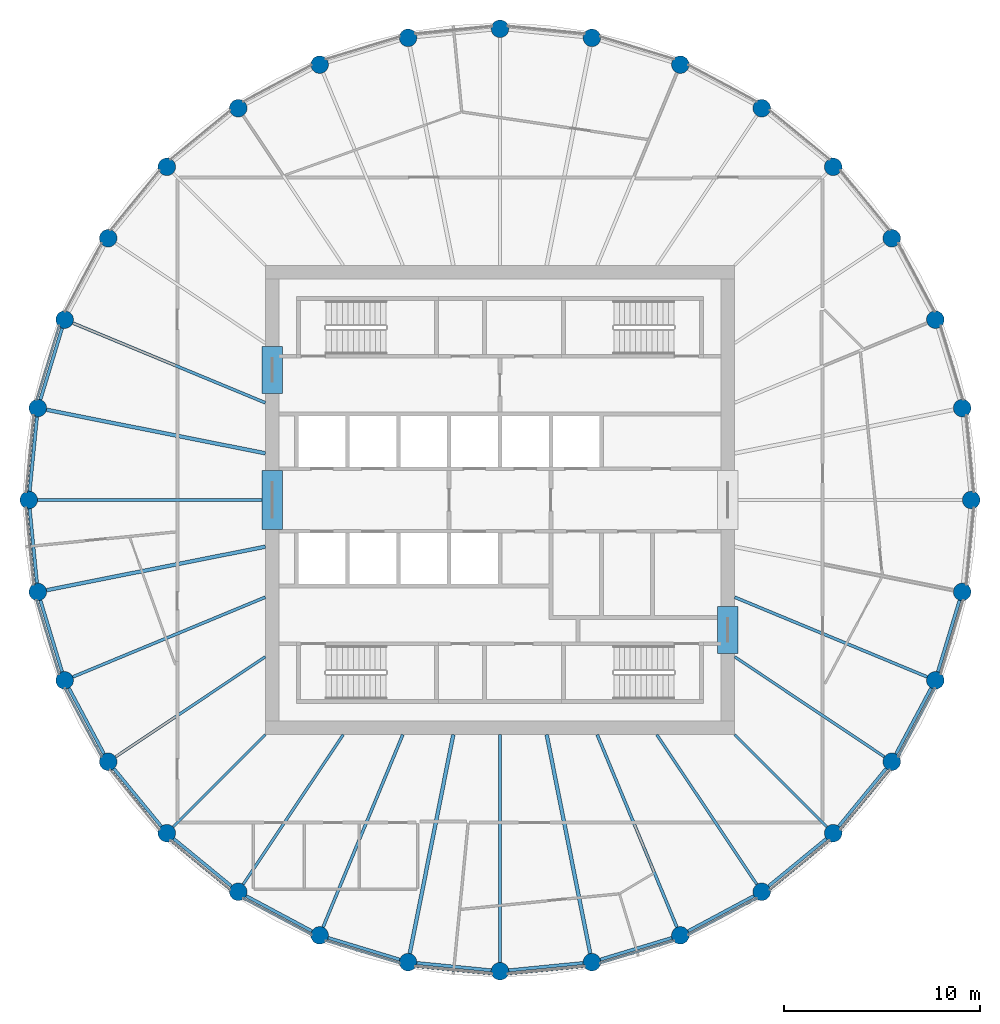
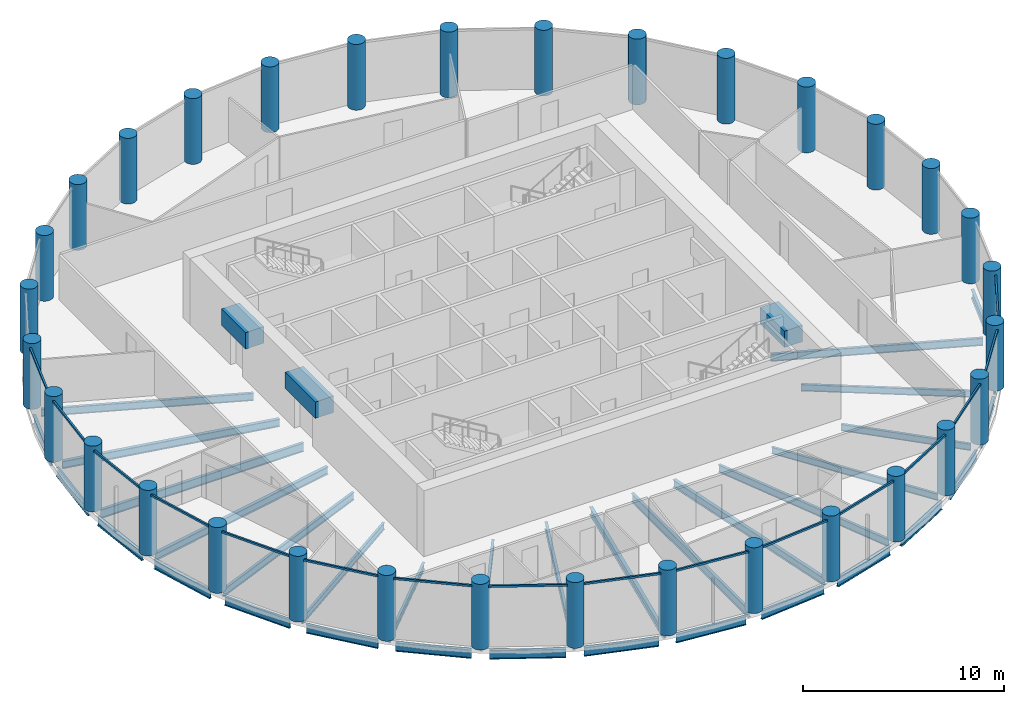
# One storey, part 1 of 8: 37 beams, 32 columns, 16 members, 16 elements without a shape of their own.
"""IFC4 building model written with IfcOpenShell, lengths in metres."""

from ifc_helpers import new_model, si_unit, direction, frame, origin, origin_2d, place, context, subcontext, project, spatial, rectangle, circle, i_section, extrude, material, material_profile, profile_set, type_object, element, aggregate, save


model = new_model("IFC4")

# Units and contexts
model_context = context("Model", 3, precision=1e-05, world=origin(), true_north=direction((0.0, 1.0)))
body_context = subcontext(model_context, "Body", "Model", "MODEL_VIEW")
ifc_project = project(units=[si_unit("LENGTHUNIT", "METRE"), si_unit("AREAUNIT", "SQUARE_METRE"), si_unit("VOLUMEUNIT", "CUBIC_METRE"), si_unit("PLANEANGLEUNIT", "RADIAN"), si_unit("MASSUNIT", "GRAM", prefix="KILO")], contexts=[model_context])

# Site, building, storey
site_placement = place(None, origin())
site = spatial("IfcSite", under=ifc_project, at=site_placement, CompositionType="ELEMENT")
building_placement = place(site_placement, origin())
building = spatial("IfcBuilding", under=site, at=building_placement, Name="Corvane Civic Tower", CompositionType="ELEMENT")
storey_placement = place(building_placement, frame((0.0, 0.0, 303.0)))
storey = spatial("IfcBuildingStorey", under=building, at=storey_placement, Name="L72", CompositionType="ELEMENT", Elevation=303.0)

# Columns
ifc_material_1 = material(Name="Concrete C60/75", Category="concrete")
ifc_material_profile_1 = material_profile(ifc_material_1, circle(Radius=0.449951171875, at=origin_2d()), Name="COLUMN 900")
ifc_profile_set_1 = profile_set([ifc_material_profile_1], Name="Concrete C60/75")
column_type = type_object("IfcColumnType", Name="RC COLUMN COLUMN 900", PredefinedType="COLUMN", material=ifc_profile_set_1)
for number, where, z_axis, x_axis, name in (
    (1, (0.0, 24.10009765625, 0.0), (0.0, 0.0, 1.0), (1.0, 0.0, 0.0), "COL-L72-E01"),
    (2, (4.70166015625, 23.636962890625, 0.0), (0.0, 0.0, 1.0), (1.0, 0.0, 0.0), "COL-L72-E02"),
    (3, (9.22265625, 22.265380859375, 0.0), (0.0, 0.0, 1.0), (1.0, 0.0, 0.0), "COL-L72-E03"),
    (4, (13.38916015625, 20.038330078125, 0.0), (0.0, 0.0, 1.0), (1.0, 0.0, 0.0), "COL-L72-E04"),
    (5, (17.041259765625, 17.041259765625, 0.0), (0.0, 0.0, 1.0), (1.0, 0.0, 0.0), "COL-L72-E05"),
    (6, (20.038330078125, 13.38916015625, 0.0), (0.0, 0.0, 1.0), (1.0, 0.0, 0.0), "COL-L72-E06"),
    (7, (22.265380859375, 9.22265625, 0.0), (0.0, 0.0, 1.0), (1.0, 0.0, 0.0), "COL-L72-E07"),
    (8, (23.636962890625, 4.70166015625, 0.0), (0.0, 0.0, 1.0), (1.0, 0.0, 0.0), "COL-L72-E08"),
    (9, (24.10009765625, 0.0, 0.0), (0.0, 0.0, 1.0), (1.0, 0.0, 0.0), "COL-L72-E09"),
    (10, (23.636962890625, -4.70166015625, 0.0), (0.0, 0.0, 1.0), (1.0, 0.0, 0.0), "COL-L72-E10"),
    (11, (22.265380859375, -9.22265625, 0.0), (0.0, 0.0, 1.0), (1.0, 0.0, 0.0), "COL-L72-E11"),
    (12, (20.038330078125, -13.38916015625, 0.0), (0.0, 0.0, 1.0), (1.0, 0.0, 0.0), "COL-L72-E12"),
    (13, (17.041259765625, -17.041259765625, 0.0), (0.0, 0.0, 1.0), (1.0, 0.0, 0.0), "COL-L72-E13"),
    (14, (13.38916015625, -20.038330078125, 0.0), (0.0, 0.0, 1.0), (1.0, 0.0, 0.0), "COL-L72-E14"),
    (15, (9.22265625, -22.265380859375, 0.0), (0.0, 0.0, 1.0), (1.0, 0.0, 0.0), "COL-L72-E15"),
    (16, (4.70166015625, -23.636962890625, 0.0), (0.0, 0.0, 1.0), (1.0, 0.0, 0.0), "COL-L72-E16"),
    (17, (0.0, -24.10009765625, 0.0), (0.0, 0.0, 1.0), (1.0, 0.0, 0.0), "COL-L72-E17"),
    (18, (-4.70166015625, -23.636962890625, 0.0), (0.0, 0.0, 1.0), (1.0, 0.0, 0.0), "COL-L72-E18"),
    (19, (-9.22265625, -22.265380859375, 0.0), (0.0, 0.0, 1.0), (1.0, 0.0, 0.0), "COL-L72-E19"),
    (20, (-13.38916015625, -20.038330078125, 0.0), (0.0, 0.0, 1.0), (1.0, 0.0, 0.0), "COL-L72-E20"),
    (21, (-17.041259765625, -17.041259765625, 0.0), (0.0, 0.0, 1.0), (1.0, 0.0, 0.0), "COL-L72-E21"),
    (22, (-20.038330078125, -13.38916015625, 0.0), (0.0, 0.0, 1.0), (1.0, 0.0, 0.0), "COL-L72-E22"),
    (23, (-22.265380859375, -9.22265625, 0.0), (0.0, 0.0, 1.0), (1.0, 0.0, 0.0), "COL-L72-E23"),
    (24, (-23.636962890625, -4.70166015625, 0.0), (0.0, 0.0, 1.0), (1.0, 0.0, 0.0), "COL-L72-E24"),
    (25, (-24.10009765625, 0.0, 0.0), (0.0, 0.0, 1.0), (1.0, 0.0, 0.0), "COL-L72-E25"),
    (26, (-23.636962890625, 4.70166015625, 0.0), (0.0, 0.0, 1.0), (1.0, 0.0, 0.0), "COL-L72-E26"),
    (27, (-22.265380859375, 9.22265625, 0.0), (0.0, 0.0, 1.0), (1.0, 0.0, 0.0), "COL-L72-E27"),
    (28, (-20.038330078125, 13.38916015625, 0.0), (0.0, 0.0, 1.0), (1.0, 0.0, 0.0), "COL-L72-E28"),
    (29, (-17.041259765625, 17.041259765625, 0.0), (0.0, 0.0, 1.0), (1.0, 0.0, 0.0), "COL-L72-E29"),
    (30, (-13.38916015625, 20.038330078125, 0.0), (0.0, 0.0, 1.0), (1.0, 0.0, 0.0), "COL-L72-E30"),
    (31, (-9.22265625, 22.265380859375, 0.0), (0.0, 0.0, 1.0), (1.0, 0.0, 0.0), "COL-L72-E31"),
    (32, (-4.70166015625, 23.636962890625, 0.0), (0.0, 0.0, 1.0), (1.0, 0.0, 0.0), "COL-L72-E32"),
):
    element("IfcColumn", number, at=place(storey_placement, frame(where, z_axis=z_axis, x_axis=x_axis)), inside=storey, type_object=column_type, Name=name, PredefinedType="COLUMN", context=body_context, shape_type="SweptSolid", body=[
        extrude(circle(Radius=0.449951171875, at=origin_2d()), origin(), (0.0, 0.0, 1.0), 4.0),
    ])

# Beams
ifc_material_2 = material(Name="Concrete C40/50", Category="concrete")
ifc_material_profile_2 = material_profile(ifc_material_2, rectangle(XDim=1.050048828125, YDim=1.0, at=origin_2d()), Name="COUPLING BEAM 1050X1000")
ifc_profile_set_2 = profile_set([ifc_material_profile_2], Name="Concrete C40/50")
beam_type_1 = type_object("IfcBeamType", Name="COUPLING BEAM COUPLING BEAM 1050X1000", PredefinedType="BEAM", material=ifc_profile_set_2)
beam_1_placement = place(storey_placement, frame((-11.64990234375, -1.5, 2.60009765625), z_axis=(0.0, 1.0, 0.0), x_axis=(-1.0, 0.0, 0.0)))
element("IfcBeam", 33, at=beam_1_placement, inside=storey, type_object=beam_type_1, Name="BM-L72-cpl-CW-LW", PredefinedType="BEAM", context=body_context, shape_type="SweptSolid", body=[
    extrude(rectangle(XDim=1.050048828125, YDim=1.0, at=origin_2d()), origin(), (0.0, 0.0, 1.0), 3.0),
])
for number, where, z_axis, x_axis, name in (
    (34, (-11.64990234375, 5.449951171875, 2.60009765625), (0.0, 1.0, 0.0), (-1.0, 0.0, 0.0), "BM-L72-cpl-CW-WN"),
    (35, (11.64990234375, -7.85009765625, 2.60009765625), (0.0, 1.0, 0.0), (-1.0, 0.0, 0.0), "BM-L72-cpl-CW-ES"),
):
    element("IfcBeam", number, at=place(storey_placement, frame(where, z_axis=z_axis, x_axis=x_axis)), inside=storey, type_object=beam_type_1, Name=name, PredefinedType="BEAM", context=body_context, shape_type="SweptSolid", body=[
        extrude(rectangle(XDim=1.050048828125, YDim=1.0, at=origin_2d()), origin(), (0.0, 0.0, 1.0), 2.400146484375),
    ])
ifc_material_3 = material(Name="Steel ASTM A992 Gr 50", Category="steel")
ifc_material_profile_3 = material_profile(ifc_material_3, i_section(OverallWidth=0.165771484375, OverallDepth=0.5283203125, WebThickness=0.009765625, FlangeThickness=0.013671875, at=origin_2d()), Name="W21X50")
ifc_profile_set_3 = profile_set([ifc_material_profile_3], Name="Steel ASTM A992 Gr 50")
beam_type_2 = type_object("IfcBeamType", Name="EDGE BEAM W21X50", PredefinedType="BEAM", material=ifc_profile_set_3)
beam_2_placement = place(storey_placement, frame((23.50634765625, -5.13232421875, -0.564208984375), z_axis=(-0.290333385085, -0.95692555902, 0.0), x_axis=(0.95692555902, -0.290333385085, 0.0)))
element("IfcBeam", 36, at=beam_2_placement, inside=storey, type_object=beam_type_2, Name="BM-L72-E10", PredefinedType="BEAM", context=body_context, shape_type="SweptSolid", body=[
    extrude(i_section(OverallWidth=0.165771484375, OverallDepth=0.5283203125, WebThickness=0.009765625, FlangeThickness=0.013671875, at=origin_2d()), origin(), (0.0, 0.0, 1.0), 3.824462890625),
])
beam_3_placement = place(storey_placement, frame((22.05322265625, -9.61962890625, -0.564208984375), z_axis=(-0.471409804487, -0.881914279413, 0.0), x_axis=(0.881914279413, -0.471409804487, 0.0)))
element("IfcBeam", 37, at=beam_3_placement, inside=storey, type_object=beam_type_2, Name="BM-L72-E11", PredefinedType="BEAM", context=body_context, shape_type="SweptSolid", body=[
    extrude(i_section(OverallWidth=0.165771484375, OverallDepth=0.5283203125, WebThickness=0.009765625, FlangeThickness=0.013671875, at=origin_2d()), origin(), (0.0, 0.0, 1.0), 3.82421875),
])
for number, where, z_axis, x_axis, name in (
    (38, (19.7529296875, -13.737060546875, -0.564208984375), (-0.634408562057, -0.772997914867, 0.0), (0.772997914867, -0.634408562057, 0.0), "BM-L72-E12"),
    (39, (16.693359375, -17.32666015625, -0.564208984375), (-0.772997914867, -0.634408562057, 0.0), (0.634408562057, -0.772997914867, 0.0), "BM-L72-E13"),
):
    element("IfcBeam", number, at=place(storey_placement, frame(where, z_axis=z_axis, x_axis=x_axis)), inside=storey, type_object=beam_type_2, Name=name, PredefinedType="BEAM", context=body_context, shape_type="SweptSolid", body=[
        extrude(i_section(OverallWidth=0.165771484375, OverallDepth=0.5283203125, WebThickness=0.009765625, FlangeThickness=0.013671875, at=origin_2d()), origin(), (0.0, 0.0, 1.0), 3.824462890625),
    ])
beam_4_placement = place(storey_placement, frame((12.9921875, -20.25048828125, -0.564208984375), z_axis=(-0.881914279413, -0.471409804487, 0.0), x_axis=(0.471409804487, -0.881914279413, 0.0)))
element("IfcBeam", 40, at=beam_4_placement, inside=storey, type_object=beam_type_2, Name="BM-L72-E14", PredefinedType="BEAM", context=body_context, shape_type="SweptSolid", body=[
    extrude(i_section(OverallWidth=0.165771484375, OverallDepth=0.5283203125, WebThickness=0.009765625, FlangeThickness=0.013671875, at=origin_2d()), origin(), (0.0, 0.0, 1.0), 3.82421875),
])
for number, where, z_axis, x_axis, name in (
    (41, (8.7919921875, -22.39599609375, -0.564208984375), (-0.95692555902, -0.290333385085, 0.0), (0.290333385085, -0.95692555902, 0.0), "BM-L72-E15"),
    (42, (4.25390625, -23.68115234375, -0.564208984375), (-0.995187721162, -0.097986732007, 0.0), (0.097986732007, -0.995187721162, 0.0), "BM-L72-E16"),
    (43, (-0.44775390625, -24.055908203125, -0.564208984375), (-0.995187721162, 0.097986732007, 0.0), (-0.097986732007, -0.995187721162, 0.0), "BM-L72-E17"),
    (44, (-5.13232421875, -23.50634765625, -0.564208984375), (-0.95692555902, 0.290333385085, 0.0), (-0.290333385085, -0.95692555902, 0.0), "BM-L72-E18"),
):
    element("IfcBeam", number, at=place(storey_placement, frame(where, z_axis=z_axis, x_axis=x_axis)), inside=storey, type_object=beam_type_2, Name=name, PredefinedType="BEAM", context=body_context, shape_type="SweptSolid", body=[
        extrude(i_section(OverallWidth=0.165771484375, OverallDepth=0.5283203125, WebThickness=0.009765625, FlangeThickness=0.013671875, at=origin_2d()), origin(), (0.0, 0.0, 1.0), 3.824462890625),
    ])
beam_5_placement = place(storey_placement, frame((-9.61962890625, -22.05322265625, -0.564208984375), z_axis=(-0.881914279413, 0.471409804487, 0.0), x_axis=(-0.471409804487, -0.881914279413, 0.0)))
element("IfcBeam", 45, at=beam_5_placement, inside=storey, type_object=beam_type_2, Name="BM-L72-E19", PredefinedType="BEAM", context=body_context, shape_type="SweptSolid", body=[
    extrude(i_section(OverallWidth=0.165771484375, OverallDepth=0.5283203125, WebThickness=0.009765625, FlangeThickness=0.013671875, at=origin_2d()), origin(), (0.0, 0.0, 1.0), 3.82421875),
])
for number, where, z_axis, x_axis, name in (
    (46, (-13.737060546875, -19.7529296875, -0.564208984375), (-0.772997914867, 0.634408562057, 0.0), (-0.634408562057, -0.772997914867, 0.0), "BM-L72-E20"),
    (47, (-17.32666015625, -16.693359375, -0.564208984375), (-0.634408562057, 0.772997914867, 0.0), (-0.772997914867, -0.634408562057, 0.0), "BM-L72-E21"),
):
    element("IfcBeam", number, at=place(storey_placement, frame(where, z_axis=z_axis, x_axis=x_axis)), inside=storey, type_object=beam_type_2, Name=name, PredefinedType="BEAM", context=body_context, shape_type="SweptSolid", body=[
        extrude(i_section(OverallWidth=0.165771484375, OverallDepth=0.5283203125, WebThickness=0.009765625, FlangeThickness=0.013671875, at=origin_2d()), origin(), (0.0, 0.0, 1.0), 3.824462890625),
    ])
beam_6_placement = place(storey_placement, frame((-20.25048828125, -12.9921875, -0.564208984375), z_axis=(-0.471409804487, 0.881914279413, 0.0), x_axis=(-0.881914279413, -0.471409804487, 0.0)))
element("IfcBeam", 48, at=beam_6_placement, inside=storey, type_object=beam_type_2, Name="BM-L72-E22", PredefinedType="BEAM", context=body_context, shape_type="SweptSolid", body=[
    extrude(i_section(OverallWidth=0.165771484375, OverallDepth=0.5283203125, WebThickness=0.009765625, FlangeThickness=0.013671875, at=origin_2d()), origin(), (0.0, 0.0, 1.0), 3.82421875),
])
for number, where, z_axis, x_axis, name in (
    (49, (-22.39599609375, -8.7919921875, -0.564208984375), (-0.290333385085, 0.95692555902, 0.0), (-0.95692555902, -0.290333385085, 0.0), "BM-L72-E23"),
    (50, (-23.68115234375, -4.25390625, -0.564208984375), (-0.097986732007, 0.995187721162, 0.0), (-0.995187721162, -0.097986732007, 0.0), "BM-L72-E24"),
    (51, (-24.055908203125, 0.44775390625, -0.564208984375), (0.097986732007, 0.995187721162, 0.0), (-0.995187721162, 0.097986732007, 0.0), "BM-L72-E25"),
    (52, (-23.50634765625, 5.13232421875, -0.564208984375), (0.290333385085, 0.95692555902, 0.0), (-0.95692555902, 0.290333385085, 0.0), "BM-L72-E26"),
):
    element("IfcBeam", number, at=place(storey_placement, frame(where, z_axis=z_axis, x_axis=x_axis)), inside=storey, type_object=beam_type_2, Name=name, PredefinedType="BEAM", context=body_context, shape_type="SweptSolid", body=[
        extrude(i_section(OverallWidth=0.165771484375, OverallDepth=0.5283203125, WebThickness=0.009765625, FlangeThickness=0.013671875, at=origin_2d()), origin(), (0.0, 0.0, 1.0), 3.824462890625),
    ])
ifc_material_4 = material(Name="Steel ASTM A992 Gr 50", Category="steel")
ifc_material_profile_4 = material_profile(ifc_material_4, i_section(OverallWidth=0.140380859375, OverallDepth=0.40380859375, WebThickness=0.007080078125, FlangeThickness=0.01123046875, at=origin_2d()), Name="W16X31")
ifc_profile_set_4 = profile_set([ifc_material_profile_4], Name="Steel ASTM A992 Gr 50")
beam_type_3 = type_object("IfcBeamType", Name="FLOOR GIRDER W16X31", PredefinedType="BEAM", material=ifc_profile_set_4)
beam_7_placement = place(storey_placement, frame((12.0, -8.01806640625, -0.501953125), z_axis=(0.831471227061, -0.555567816355, 0.0), x_axis=(0.555567816355, 0.831471227061, 0.0)))
element("IfcBeam", 53, at=beam_7_placement, inside=storey, type_object=beam_type_3, Name="BM-L72-G12", PredefinedType="BEAM", context=body_context, shape_type="SweptSolid", body=[
    extrude(i_section(OverallWidth=0.140380859375, OverallDepth=0.40380859375, WebThickness=0.007080078125, FlangeThickness=0.01123046875, at=origin_2d()), origin(), (0.0, 0.0, 1.0), 9.2177734375),
])
beam_8_placement = place(storey_placement, frame((12.0, -12.0, -0.501953125), z_axis=(0.707106781187, -0.707106781187, 0.0), x_axis=(0.707106781187, 0.707106781187, 0.0)))
element("IfcBeam", 54, at=beam_8_placement, inside=storey, type_object=beam_type_3, Name="BM-L72-G13", PredefinedType="BEAM", context=body_context, shape_type="SweptSolid", body=[
    extrude(i_section(OverallWidth=0.140380859375, OverallDepth=0.40380859375, WebThickness=0.007080078125, FlangeThickness=0.01123046875, at=origin_2d()), origin(), (0.0, 0.0, 1.0), 6.679443359375),
])
for number, where, z_axis, x_axis, name in (
    (55, (8.01806640625, -12.0, -0.501953125), (0.555567816355, -0.831471227061, 0.0), (0.831471227061, 0.555567816355, 0.0), "BM-L72-G14"),
    (56, (-8.01806640625, -12.0, -0.501953125), (-0.555567816355, -0.831471227061, 0.0), (0.831471227061, -0.555567816355, 0.0), "BM-L72-G20"),
):
    element("IfcBeam", number, at=place(storey_placement, frame(where, z_axis=z_axis, x_axis=x_axis)), inside=storey, type_object=beam_type_3, Name=name, PredefinedType="BEAM", context=body_context, shape_type="SweptSolid", body=[
        extrude(i_section(OverallWidth=0.140380859375, OverallDepth=0.40380859375, WebThickness=0.007080078125, FlangeThickness=0.01123046875, at=origin_2d()), origin(), (0.0, 0.0, 1.0), 9.2177734375),
    ])
beam_9_placement = place(storey_placement, frame((-12.0, -12.0, -0.501953125), z_axis=(-0.707106781187, -0.707106781187, 0.0), x_axis=(0.707106781187, -0.707106781187, 0.0)))
element("IfcBeam", 57, at=beam_9_placement, inside=storey, type_object=beam_type_3, Name="BM-L72-G21", PredefinedType="BEAM", context=body_context, shape_type="SweptSolid", body=[
    extrude(i_section(OverallWidth=0.140380859375, OverallDepth=0.40380859375, WebThickness=0.007080078125, FlangeThickness=0.01123046875, at=origin_2d()), origin(), (0.0, 0.0, 1.0), 6.679443359375),
])
beam_10_placement = place(storey_placement, frame((-12.0, -8.01806640625, -0.501953125), z_axis=(-0.831471227061, -0.555567816355, 0.0), x_axis=(0.555567816355, -0.831471227061, 0.0)))
element("IfcBeam", 58, at=beam_10_placement, inside=storey, type_object=beam_type_3, Name="BM-L72-G22", PredefinedType="BEAM", context=body_context, shape_type="SweptSolid", body=[
    extrude(i_section(OverallWidth=0.140380859375, OverallDepth=0.40380859375, WebThickness=0.007080078125, FlangeThickness=0.01123046875, at=origin_2d()), origin(), (0.0, 0.0, 1.0), 9.2177734375),
])
ifc_material_5 = material(Name="Steel ASTM A992 Gr 50", Category="steel")
ifc_material_profile_5 = material_profile(ifc_material_5, i_section(OverallWidth=0.15283203125, OverallDepth=0.45458984375, WebThickness=0.008056640625, FlangeThickness=0.013427734375, at=origin_2d()), Name="W18X40")
ifc_profile_set_5 = profile_set([ifc_material_profile_5], Name="Steel ASTM A992 Gr 50")
beam_type_4 = type_object("IfcBeamType", Name="FLOOR GIRDER W18X40", PredefinedType="BEAM", material=ifc_profile_set_5)
for number, where, z_axis, x_axis, name in (
    (59, (12.0, -4.970458984375, -0.52734375), (0.923875048589, -0.382694257331, 0.0), (0.382694257331, 0.923875048589, 0.0), "BM-L72-G11"),
    (60, (4.970458984375, -12.0, -0.52734375), (0.382694257331, -0.923875048589, 0.0), (0.923875048589, 0.382694257331, 0.0), "BM-L72-G15"),
    (61, (-4.970458984375, -12.0, -0.52734375), (-0.382694257331, -0.923875048589, 0.0), (0.923875048589, -0.382694257331, 0.0), "BM-L72-G19"),
    (62, (-12.0, -4.970458984375, -0.52734375), (-0.923875048589, -0.382694257331, 0.0), (0.382694257331, -0.923875048589, 0.0), "BM-L72-G23"),
    (63, (-12.0, 4.970458984375, -0.52734375), (-0.923875048589, 0.382694257331, 0.0), (-0.382694257331, -0.923875048589, 0.0), "BM-L72-G27"),
):
    element("IfcBeam", number, at=place(storey_placement, frame(where, z_axis=z_axis, x_axis=x_axis)), inside=storey, type_object=beam_type_4, Name=name, PredefinedType="BEAM", context=body_context, shape_type="SweptSolid", body=[
        extrude(i_section(OverallWidth=0.15283203125, OverallDepth=0.45458984375, WebThickness=0.008056640625, FlangeThickness=0.013427734375, at=origin_2d()), origin(), (0.0, 0.0, 1.0), 10.661376953125),
    ])
ifc_material_6 = material(Name="Steel ASTM A992 Gr 50", Category="steel")
ifc_material_profile_6 = material_profile(ifc_material_6, i_section(OverallWidth=0.1904296875, OverallDepth=0.457275390625, WebThickness=0.009033203125, FlangeThickness=0.014404296875, at=origin_2d()), Name="W18X50")
ifc_profile_set_6 = profile_set([ifc_material_profile_6], Name="Steel ASTM A992 Gr 50")
beam_type_5 = type_object("IfcBeamType", Name="FLOOR GIRDER W18X50", PredefinedType="BEAM", material=ifc_profile_set_6)
for number, where, z_axis, x_axis, name in (
    (64, (2.386962890625, -12.0, -0.528564453125), (0.195079532402, -0.980787426529, 0.0), (0.980787426529, 0.195079532402, 0.0), "BM-L72-G16"),
    (65, (-2.386962890625, -12.0, -0.528564453125), (-0.195079532402, -0.980787426529, 0.0), (0.980787426529, -0.195079532402, 0.0), "BM-L72-G18"),
    (66, (-12.0, -2.386962890625, -0.528564453125), (-0.980787426529, -0.195079532402, 0.0), (0.195079532402, -0.980787426529, 0.0), "BM-L72-G24"),
    (67, (-12.0, 2.386962890625, -0.528564453125), (-0.980787426529, 0.195079532402, 0.0), (-0.195079532402, -0.980787426529, 0.0), "BM-L72-G26"),
):
    element("IfcBeam", number, at=place(storey_placement, frame(where, z_axis=z_axis, x_axis=x_axis)), inside=storey, type_object=beam_type_5, Name=name, PredefinedType="BEAM", context=body_context, shape_type="SweptSolid", body=[
        extrude(i_section(OverallWidth=0.1904296875, OverallDepth=0.457275390625, WebThickness=0.009033203125, FlangeThickness=0.014404296875, at=origin_2d()), origin(), (0.0, 0.0, 1.0), 11.414794921875),
    ])
ifc_material_7 = material(Name="Steel ASTM A992 Gr 50", Category="steel")
ifc_material_profile_7 = material_profile(ifc_material_7, i_section(OverallWidth=0.165771484375, OverallDepth=0.5283203125, WebThickness=0.009765625, FlangeThickness=0.013671875, at=origin_2d()), Name="W21X50")
ifc_profile_set_7 = profile_set([ifc_material_profile_7], Name="Steel ASTM A992 Gr 50")
beam_type_6 = type_object("IfcBeamType", Name="FLOOR GIRDER W21X50", PredefinedType="BEAM", material=ifc_profile_set_7)
for number, where, z_axis, x_axis, name in (
    (68, (0.0, -12.0, -0.564208984375), (0.0, -1.0, 0.0), (1.0, 0.0, 0.0), "BM-L72-G17"),
    (69, (-12.0, 0.0, -0.564208984375), (-1.0, 0.0, 0.0), (0.0, -1.0, 0.0), "BM-L72-G25"),
):
    element("IfcBeam", number, at=place(storey_placement, frame(where, z_axis=z_axis, x_axis=x_axis)), inside=storey, type_object=beam_type_6, Name=name, PredefinedType="BEAM", context=body_context, shape_type="SweptSolid", body=[
        extrude(i_section(OverallWidth=0.165771484375, OverallDepth=0.5283203125, WebThickness=0.009765625, FlangeThickness=0.013671875, at=origin_2d()), origin(), (0.0, 0.0, 1.0), 11.64990234375),
    ])

# Curtain wall, member
ifc_material_8 = material(Name="Anodised aluminium bronze", Category="aluminium")
curtain_wall_type = type_object("IfcCurtainWallType", Name="TOWER CW-T3 STICK CURTAIN WALL", PredefinedType="NOTDEFINED", material=ifc_material_8)
curtain_wall_1_placement = place(storey_placement, origin())
curtain_wall_1 = element("IfcCurtainWall", 70, at=curtain_wall_1_placement, inside=storey, type_object=curtain_wall_type, Name="Curtain wall CW-T3 L72 bay 11", PredefinedType="NOTDEFINED")
ifc_material_9 = material(Name="Anodised aluminium bronze", Category="aluminium")
ifc_material_profile_8 = material_profile(ifc_material_9, rectangle(XDim=0.10009765625, YDim=0.1201171875, at=origin_2d()), Name="TOWER CW-T3 TRANSOM 100x120")
ifc_profile_set_8 = profile_set([ifc_material_profile_8], Name="Anodised aluminium bronze")
member_type = type_object("IfcMemberType", Name="TOWER CW-T3 TRANSOM 100x120", PredefinedType="USERDEFINED", material=ifc_profile_set_8)
member_1_placement = place(storey_placement, frame((22.2431640625, -9.644775390625, 3.68994140625), z_axis=(-0.471468241052, -0.881883040816, 0.0), x_axis=(0.881883040816, -0.471468241052, 0.0)))
member_1 = element("IfcMember", 71, at=member_1_placement, type_object=member_type, Name="Transom CW-T3 L72 11.1", ObjectType="TRANSOM", PredefinedType="USERDEFINED", context=body_context, shape_type="SweptSolid", body=[
    extrude(rectangle(XDim=0.10009765625, YDim=0.1201171875, at=origin_2d()), origin(), (0.0, 0.0, 1.0), 3.958740234375),
])
aggregate(curtain_wall_1, [member_1])

curtain_wall_2_placement = place(storey_placement, origin())
curtain_wall_2 = element("IfcCurtainWall", 72, at=curtain_wall_2_placement, inside=storey, type_object=curtain_wall_type, Name="Curtain wall CW-T3 L72 bay 12", PredefinedType="NOTDEFINED")
member_2_placement = place(storey_placement, frame((19.93408203125, -13.798828125, 3.68994140625), z_axis=(-0.634415838373, -0.772991943051, 0.0), x_axis=(0.772991943051, -0.634415838373, 0.0)))
member_2 = element("IfcMember", 73, at=member_2_placement, type_object=member_type, Name="Transom CW-T3 L72 12.1", ObjectType="TRANSOM", PredefinedType="USERDEFINED", context=body_context, shape_type="SweptSolid", body=[
    extrude(rectangle(XDim=0.10009765625, YDim=0.1201171875, at=origin_2d()), origin(), (0.0, 0.0, 1.0), 3.958740234375),
])
aggregate(curtain_wall_2, [member_2])

curtain_wall_3_placement = place(storey_placement, origin())
curtain_wall_3 = element("IfcCurtainWall", 74, at=curtain_wall_3_placement, inside=storey, type_object=curtain_wall_type, Name="Curtain wall CW-T3 L72 bay 13", PredefinedType="NOTDEFINED")
member_3_placement = place(storey_placement, frame((16.85888671875, -17.422607421875, 3.68994140625), z_axis=(-0.772991943051, -0.634415838373, 0.0), x_axis=(0.634415838373, -0.772991943051, 0.0)))
member_3 = element("IfcMember", 75, at=member_3_placement, type_object=member_type, Name="Transom CW-T3 L72 13.1", ObjectType="TRANSOM", PredefinedType="USERDEFINED", context=body_context, shape_type="SweptSolid", body=[
    extrude(rectangle(XDim=0.10009765625, YDim=0.1201171875, at=origin_2d()), origin(), (0.0, 0.0, 1.0), 3.958740234375),
])
aggregate(curtain_wall_3, [member_3])

curtain_wall_4_placement = place(storey_placement, origin())
curtain_wall_4 = element("IfcCurtainWall", 76, at=curtain_wall_4_placement, inside=storey, type_object=curtain_wall_type, Name="Curtain wall CW-T3 L72 bay 14", PredefinedType="NOTDEFINED")
member_4_placement = place(storey_placement, frame((13.135986328125, -20.376708984375, 3.68994140625), z_axis=(-0.881883040816, -0.471468241052, 0.0), x_axis=(0.471468241052, -0.881883040816, 0.0)))
member_4 = element("IfcMember", 77, at=member_4_placement, type_object=member_type, Name="Transom CW-T3 L72 14.1", ObjectType="TRANSOM", PredefinedType="USERDEFINED", context=body_context, shape_type="SweptSolid", body=[
    extrude(rectangle(XDim=0.10009765625, YDim=0.1201171875, at=origin_2d()), origin(), (0.0, 0.0, 1.0), 3.958740234375),
])
aggregate(curtain_wall_4, [member_4])

curtain_wall_5_placement = place(storey_placement, origin())
curtain_wall_5 = element("IfcCurtainWall", 78, at=curtain_wall_5_placement, inside=storey, type_object=curtain_wall_type, Name="Curtain wall CW-T3 L72 bay 15", PredefinedType="NOTDEFINED")
member_5_placement = place(storey_placement, frame((8.908447265625, -22.548095703125, 3.68994140625), z_axis=(-0.956946054205, -0.290265825309, 0.0), x_axis=(0.290265825309, -0.956946054205, 0.0)))
member_5 = element("IfcMember", 79, at=member_5_placement, type_object=member_type, Name="Transom CW-T3 L72 15.1", ObjectType="TRANSOM", PredefinedType="USERDEFINED", context=body_context, shape_type="SweptSolid", body=[
    extrude(rectangle(XDim=0.10009765625, YDim=0.1201171875, at=origin_2d()), origin(), (0.0, 0.0, 1.0), 3.958984375),
])
aggregate(curtain_wall_5, [member_5])

curtain_wall_6_placement = place(storey_placement, origin())
curtain_wall_6 = element("IfcCurtainWall", 80, at=curtain_wall_6_placement, inside=storey, type_object=curtain_wall_type, Name="Curtain wall CW-T3 L72 bay 16", PredefinedType="NOTDEFINED")
member_6_placement = place(storey_placement, frame((4.338134765625, -23.852783203125, 3.68994140625), z_axis=(-0.995186866683, -0.097995409999, 0.0), x_axis=(0.097995409999, -0.995186866683, 0.0)))
member_6 = element("IfcMember", 81, at=member_6_placement, type_object=member_type, Name="Transom CW-T3 L72 16.1", ObjectType="TRANSOM", PredefinedType="USERDEFINED", context=body_context, shape_type="SweptSolid", body=[
    extrude(rectangle(XDim=0.10009765625, YDim=0.1201171875, at=origin_2d()), origin(), (0.0, 0.0, 1.0), 3.958740234375),
])
aggregate(curtain_wall_6, [member_6])

curtain_wall_7_placement = place(storey_placement, origin())
curtain_wall_7 = element("IfcCurtainWall", 82, at=curtain_wall_7_placement, inside=storey, type_object=curtain_wall_type, Name="Curtain wall CW-T3 L72 bay 17", PredefinedType="NOTDEFINED")
member_7_placement = place(storey_placement, frame((-0.3984375, -24.24072265625, 3.68994140625), z_axis=(-0.995186866683, 0.097995409999, 0.0), x_axis=(-0.097995409999, -0.995186866683, 0.0)))
member_7 = element("IfcMember", 83, at=member_7_placement, type_object=member_type, Name="Transom CW-T3 L72 17.1", ObjectType="TRANSOM", PredefinedType="USERDEFINED", context=body_context, shape_type="SweptSolid", body=[
    extrude(rectangle(XDim=0.10009765625, YDim=0.1201171875, at=origin_2d()), origin(), (0.0, 0.0, 1.0), 3.958740234375),
])
aggregate(curtain_wall_7, [member_7])

curtain_wall_8_placement = place(storey_placement, origin())
curtain_wall_8 = element("IfcCurtainWall", 84, at=curtain_wall_8_placement, inside=storey, type_object=curtain_wall_type, Name="Curtain wall CW-T3 L72 bay 18", PredefinedType="NOTDEFINED")
member_8_placement = place(storey_placement, frame((-5.119873046875, -23.697265625, 3.68994140625), z_axis=(-0.956946054205, 0.290265825309, 0.0), x_axis=(-0.290265825309, -0.956946054205, 0.0)))
member_8 = element("IfcMember", 85, at=member_8_placement, type_object=member_type, Name="Transom CW-T3 L72 18.1", ObjectType="TRANSOM", PredefinedType="USERDEFINED", context=body_context, shape_type="SweptSolid", body=[
    extrude(rectangle(XDim=0.10009765625, YDim=0.1201171875, at=origin_2d()), origin(), (0.0, 0.0, 1.0), 3.958984375),
])
aggregate(curtain_wall_8, [member_8])

curtain_wall_9_placement = place(storey_placement, origin())
curtain_wall_9 = element("IfcCurtainWall", 86, at=curtain_wall_9_placement, inside=storey, type_object=curtain_wall_type, Name="Curtain wall CW-T3 L72 bay 19", PredefinedType="NOTDEFINED")
member_9_placement = place(storey_placement, frame((-9.644775390625, -22.2431640625, 3.68994140625), z_axis=(-0.881883040816, 0.471468241052, 0.0), x_axis=(-0.471468241052, -0.881883040816, 0.0)))
member_9 = element("IfcMember", 87, at=member_9_placement, type_object=member_type, Name="Transom CW-T3 L72 19.1", ObjectType="TRANSOM", PredefinedType="USERDEFINED", context=body_context, shape_type="SweptSolid", body=[
    extrude(rectangle(XDim=0.10009765625, YDim=0.1201171875, at=origin_2d()), origin(), (0.0, 0.0, 1.0), 3.958740234375),
])
aggregate(curtain_wall_9, [member_9])

curtain_wall_10_placement = place(storey_placement, origin())
curtain_wall_10 = element("IfcCurtainWall", 88, at=curtain_wall_10_placement, inside=storey, type_object=curtain_wall_type, Name="Curtain wall CW-T3 L72 bay 20", PredefinedType="NOTDEFINED")
member_10_placement = place(storey_placement, frame((-13.798828125, -19.93408203125, 3.68994140625), z_axis=(-0.772991943051, 0.634415838373, 0.0), x_axis=(-0.634415838373, -0.772991943051, 0.0)))
member_10 = element("IfcMember", 89, at=member_10_placement, type_object=member_type, Name="Transom CW-T3 L72 20.1", ObjectType="TRANSOM", PredefinedType="USERDEFINED", context=body_context, shape_type="SweptSolid", body=[
    extrude(rectangle(XDim=0.10009765625, YDim=0.1201171875, at=origin_2d()), origin(), (0.0, 0.0, 1.0), 3.958740234375),
])
aggregate(curtain_wall_10, [member_10])

curtain_wall_11_placement = place(storey_placement, origin())
curtain_wall_11 = element("IfcCurtainWall", 90, at=curtain_wall_11_placement, inside=storey, type_object=curtain_wall_type, Name="Curtain wall CW-T3 L72 bay 21", PredefinedType="NOTDEFINED")
member_11_placement = place(storey_placement, frame((-17.422607421875, -16.85888671875, 3.68994140625), z_axis=(-0.634415838373, 0.772991943051, 0.0), x_axis=(-0.772991943051, -0.634415838373, 0.0)))
member_11 = element("IfcMember", 91, at=member_11_placement, type_object=member_type, Name="Transom CW-T3 L72 21.1", ObjectType="TRANSOM", PredefinedType="USERDEFINED", context=body_context, shape_type="SweptSolid", body=[
    extrude(rectangle(XDim=0.10009765625, YDim=0.1201171875, at=origin_2d()), origin(), (0.0, 0.0, 1.0), 3.958740234375),
])
aggregate(curtain_wall_11, [member_11])

curtain_wall_12_placement = place(storey_placement, origin())
curtain_wall_12 = element("IfcCurtainWall", 92, at=curtain_wall_12_placement, inside=storey, type_object=curtain_wall_type, Name="Curtain wall CW-T3 L72 bay 22", PredefinedType="NOTDEFINED")
member_12_placement = place(storey_placement, frame((-20.376708984375, -13.135986328125, 3.68994140625), z_axis=(-0.471468241052, 0.881883040816, 0.0), x_axis=(-0.881883040816, -0.471468241052, 0.0)))
member_12 = element("IfcMember", 93, at=member_12_placement, type_object=member_type, Name="Transom CW-T3 L72 22.1", ObjectType="TRANSOM", PredefinedType="USERDEFINED", context=body_context, shape_type="SweptSolid", body=[
    extrude(rectangle(XDim=0.10009765625, YDim=0.1201171875, at=origin_2d()), origin(), (0.0, 0.0, 1.0), 3.958740234375),
])
aggregate(curtain_wall_12, [member_12])

curtain_wall_13_placement = place(storey_placement, origin())
curtain_wall_13 = element("IfcCurtainWall", 94, at=curtain_wall_13_placement, inside=storey, type_object=curtain_wall_type, Name="Curtain wall CW-T3 L72 bay 23", PredefinedType="NOTDEFINED")
member_13_placement = place(storey_placement, frame((-22.548095703125, -8.908447265625, 3.68994140625), z_axis=(-0.290265825309, 0.956946054205, 0.0), x_axis=(-0.956946054205, -0.290265825309, 0.0)))
member_13 = element("IfcMember", 95, at=member_13_placement, type_object=member_type, Name="Transom CW-T3 L72 23.1", ObjectType="TRANSOM", PredefinedType="USERDEFINED", context=body_context, shape_type="SweptSolid", body=[
    extrude(rectangle(XDim=0.10009765625, YDim=0.1201171875, at=origin_2d()), origin(), (0.0, 0.0, 1.0), 3.958984375),
])
aggregate(curtain_wall_13, [member_13])

curtain_wall_14_placement = place(storey_placement, origin())
curtain_wall_14 = element("IfcCurtainWall", 96, at=curtain_wall_14_placement, inside=storey, type_object=curtain_wall_type, Name="Curtain wall CW-T3 L72 bay 24", PredefinedType="NOTDEFINED")
member_14_placement = place(storey_placement, frame((-23.852783203125, -4.338134765625, 3.68994140625), z_axis=(-0.097995409999, 0.995186866683, 0.0), x_axis=(-0.995186866683, -0.097995409999, 0.0)))
member_14 = element("IfcMember", 97, at=member_14_placement, type_object=member_type, Name="Transom CW-T3 L72 24.1", ObjectType="TRANSOM", PredefinedType="USERDEFINED", context=body_context, shape_type="SweptSolid", body=[
    extrude(rectangle(XDim=0.10009765625, YDim=0.1201171875, at=origin_2d()), origin(), (0.0, 0.0, 1.0), 3.958740234375),
])
aggregate(curtain_wall_14, [member_14])

curtain_wall_15_placement = place(storey_placement, origin())
curtain_wall_15 = element("IfcCurtainWall", 98, at=curtain_wall_15_placement, inside=storey, type_object=curtain_wall_type, Name="Curtain wall CW-T3 L72 bay 25", PredefinedType="NOTDEFINED")
member_15_placement = place(storey_placement, frame((-24.24072265625, 0.3984375, 3.68994140625), z_axis=(0.097995409999, 0.995186866683, 0.0), x_axis=(-0.995186866683, 0.097995409999, 0.0)))
member_15 = element("IfcMember", 99, at=member_15_placement, type_object=member_type, Name="Transom CW-T3 L72 25.1", ObjectType="TRANSOM", PredefinedType="USERDEFINED", context=body_context, shape_type="SweptSolid", body=[
    extrude(rectangle(XDim=0.10009765625, YDim=0.1201171875, at=origin_2d()), origin(), (0.0, 0.0, 1.0), 3.958740234375),
])
aggregate(curtain_wall_15, [member_15])

curtain_wall_16_placement = place(storey_placement, origin())
curtain_wall_16 = element("IfcCurtainWall", 100, at=curtain_wall_16_placement, inside=storey, type_object=curtain_wall_type, Name="Curtain wall CW-T3 L72 bay 26", PredefinedType="NOTDEFINED")
member_16_placement = place(storey_placement, frame((-23.697265625, 5.119873046875, 3.68994140625), z_axis=(0.290265825309, 0.956946054205, 0.0), x_axis=(-0.956946054205, 0.290265825309, 0.0)))
member_16 = element("IfcMember", 101, at=member_16_placement, type_object=member_type, Name="Transom CW-T3 L72 26.1", ObjectType="TRANSOM", PredefinedType="USERDEFINED", context=body_context, shape_type="SweptSolid", body=[
    extrude(rectangle(XDim=0.10009765625, YDim=0.1201171875, at=origin_2d()), origin(), (0.0, 0.0, 1.0), 3.958984375),
])
aggregate(curtain_wall_16, [member_16])

save(model, "model.ifc")
